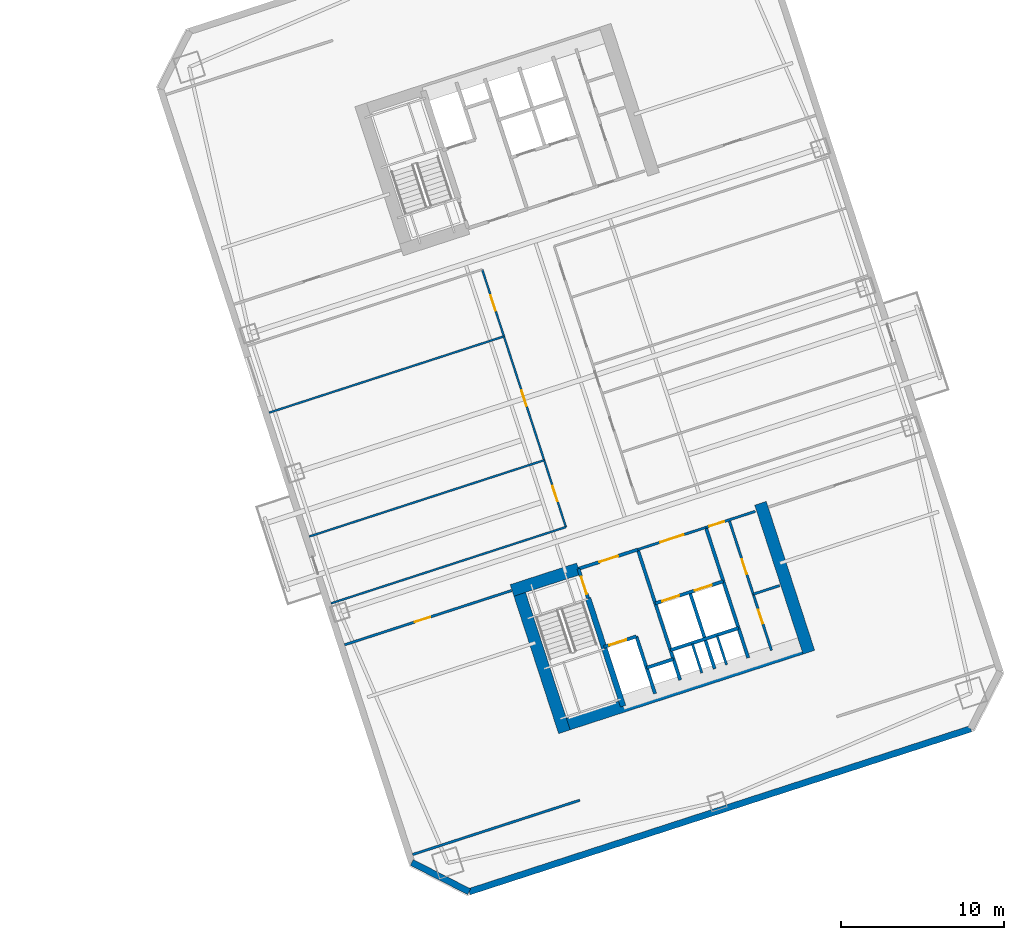
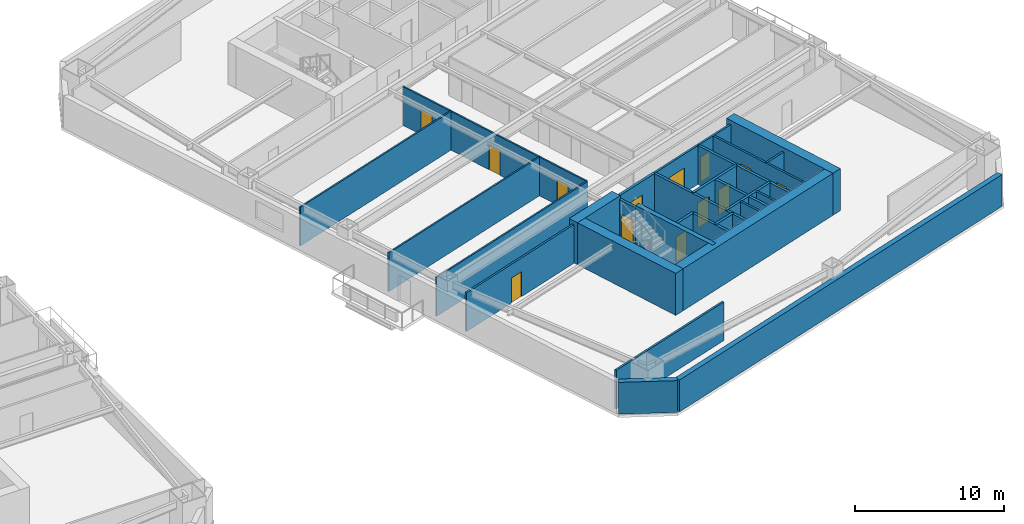
# One storey, part 7 of 15: 29 walls, 13 doors, 13 openings.
"""IFC4 building model written with IfcOpenShell, lengths in metres."""

from ifc_helpers import new_model, si_unit, direction, frame, frame_2d, origin, place, context, subcontext, project, spatial, rectangle, extrude, material, layer, layer_set, type_object, element, fill, save


model = new_model("IFC4")

# Units and contexts
model_context = context("Model", 3, precision=1e-05, world=origin(), true_north=direction((0.0, 1.0)))
body_context = subcontext(model_context, "Body", "Model", "MODEL_VIEW")
ifc_project = project(units=[si_unit("LENGTHUNIT", "METRE"), si_unit("AREAUNIT", "SQUARE_METRE"), si_unit("VOLUMEUNIT", "CUBIC_METRE"), si_unit("PLANEANGLEUNIT", "RADIAN"), si_unit("MASSUNIT", "GRAM", prefix="KILO")], contexts=[model_context])

# Site, building, storey
site_placement = place(None, origin())
site = spatial("IfcSite", under=ifc_project, at=site_placement, CompositionType="ELEMENT")
building_placement = place(site_placement, origin())
building = spatial("IfcBuilding", under=site, at=building_placement, Name="Qiaolan Cultural Towers", CompositionType="ELEMENT")
storey_placement = place(building_placement, frame((0.0, 0.0, 60.949951171875)))
storey = spatial("IfcBuildingStorey", under=building, at=storey_placement, Name="L14", CompositionType="ELEMENT", Elevation=60.949951171875)

# Walls
ifc_material_1 = material(Name="Concrete C50", Category="concrete")
ifc_layer_1 = layer(ifc_material_1, 0.35009765625)
ifc_layer_set_1 = layer_set([ifc_layer_1], Name="Concrete C50")
wall_type_1 = type_object("IfcWallType", Name="WL-CORE-350", PredefinedType="SHEAR", material=ifc_layer_set_1)
wall_1_placement = place(storey_placement, frame((90.486328125, 20.59423828125, 0.0), z_axis=(0.0, 0.0, 1.0), x_axis=(0.309020428229, -0.951055400562, 0.0)))
element("IfcWall", 1, at=wall_1_placement, inside=storey, type_object=wall_type_1, Name="L14 T2-CS Stair Core Dividing Web", PredefinedType="SHEAR", context=body_context, shape_type="SweptSolid", body=[
    extrude(rectangle(XDim=6.97998046875, YDim=0.35009765625, at=frame_2d((3.489990234375, 0.0))), origin(), (0.0, 0.0, 1.0), 3.449951171875),
])
ifc_material_2 = material(Name="Concrete C60", Category="concrete")
ifc_layer_2 = layer(ifc_material_2, 0.75)
ifc_layer_set_2 = layer_set([ifc_layer_2], Name="Concrete C60")
wall_type_2 = type_object("IfcWallType", Name="WL-CORE-750", PredefinedType="SHEAR", material=ifc_layer_set_2)
wall_2_placement = place(storey_placement, frame((88.55859375, 12.628662109375, 0.0), z_axis=(0.0, 0.0, 1.0), x_axis=(0.951056072937, 0.309018358888, 0.0)))
element("IfcWall", 2, at=wall_2_placement, inside=storey, type_object=wall_type_2, Name="L14 T2-CS Outer Core Shear Wall", PredefinedType="SHEAR", context=body_context, shape_type="SweptSolid", body=[
    extrude(rectangle(XDim=16.550048828125, YDim=0.75, at=frame_2d((8.27490234375, 0.0))), origin(), (0.0, 0.0, 1.0), 3.449951171875),
])
wall_3_placement = place(storey_placement, frame((86.05517578125, 21.54638671875, 0.0), z_axis=(0.0, 0.0, 1.0), x_axis=(0.309023585745, -0.951054374604, 0.0)))
element("IfcWall", 3, at=wall_3_placement, inside=storey, type_object=wall_type_2, Name="L14 T2-CS West Core Shear Wall", PredefinedType="SHEAR", context=body_context, shape_type="SweptSolid", body=[
    extrude(rectangle(XDim=9.6298828125, YDim=0.75, at=frame_2d((4.81494140625, 0.0))), origin(), (0.0, 0.0, 1.0), 3.449951171875),
])
wall_4_placement = place(storey_placement, frame((101.08203125, 26.428955078125, 0.0), z_axis=(0.0, 0.0, 1.0), x_axis=(0.309016134813, -0.951056795583, 0.0)))
element("IfcWall", 4, at=wall_4_placement, inside=storey, type_object=wall_type_2, Name="L14 T2-CS East Core Shear Wall", PredefinedType="SHEAR", context=body_context, shape_type="SweptSolid", body=[
    extrude(rectangle(XDim=9.630126953125, YDim=0.75, at=frame_2d((4.81494140625, 0.0))), origin(), (0.0, 0.0, 1.0), 3.449951171875),
])
wall_5_placement = place(storey_placement, frame((85.814453125, 21.073974609375, 0.0), z_axis=(0.0, 0.0, 1.0), x_axis=(0.95106580992, 0.308988390074, 0.0)))
element("IfcWall", 5, at=wall_5_placement, inside=storey, type_object=wall_type_2, Name="L14 T2-CS Stair Front Shear Wall", PredefinedType="SHEAR", context=body_context, shape_type="SweptSolid", body=[
    extrude(rectangle(XDim=4.295166015625, YDim=0.75, at=frame_2d((2.1474609375, 0.0))), origin(), (0.0, 0.0, 1.0), 3.449951171875),
])
ifc_material_3 = material(Name="Precast Concrete C50 Honed Stone Pier", Category="masonry")
ifc_layer_3 = layer(ifc_material_3, 0.39990234375)
ifc_layer_set_3 = layer_set([ifc_layer_3], Name="Precast Concrete C50 Honed Stone Pier")
wall_type_3 = type_object("IfcWallType", Name="WL-EXT-PIER-400", PredefinedType="SOLIDWALL", material=ifc_layer_set_3)
wall_6_placement = place(storey_placement, frame((113.997802734375, 12.566650390625, 0.0), z_axis=(0.0, 0.0, 1.0), x_axis=(-0.951055939317, -0.309018770125, 0.0)))
element("IfcWall", 6, at=wall_6_placement, inside=storey, type_object=wall_type_3, Name="L14 East Tower Precast Pier Facade Wall F7", PredefinedType="SOLIDWALL", context=body_context, shape_type="SweptSolid", body=[
    extrude(rectangle(XDim=32.39990234375, YDim=0.39990234375, at=frame_2d((16.199951171875, 0.0))), origin(), (0.0, 0.0, 1.0), 2.610107421875),
])
wall_7_placement = place(storey_placement, frame((83.18359375, 2.554443359375, 0.0), z_axis=(0.0, 0.0, 1.0), x_axis=(-0.890998089617, 0.454007053137, 0.0)))
element("IfcWall", 7, at=wall_7_placement, inside=storey, type_object=wall_type_3, Name="L14 East Tower Precast Pier Facade Wall F8", PredefinedType="SOLIDWALL", context=body_context, shape_type="SweptSolid", body=[
    extrude(rectangle(XDim=3.9599609375, YDim=0.39990234375, at=frame_2d((1.97998046875, 0.0))), origin(), (0.0, 0.0, 1.0), 2.610107421875),
])

# Wall, opening, door
ifc_material_4 = material(Name="Concrete C35 Fire Wall", Category="concrete")
ifc_layer_4 = layer(ifc_material_4, 0.199951171875)
ifc_layer_set_4 = layer_set([ifc_layer_4], Name="Concrete C35 Fire Wall")
wall_type_4 = type_object("IfcWallType", Name="WL-FIRE-200", PredefinedType="PARTITIONING", material=ifc_layer_set_4)
wall_8_placement = place(storey_placement, frame((89.8994140625, 22.401123046875, 0.0), z_axis=(0.0, 0.0, 1.0), x_axis=(0.308932062672, -0.951084108086, 0.0)))
wall_8 = element("IfcWall", 8, at=wall_8_placement, inside=storey, type_object=wall_type_4, Name="L14 T2-CS Smokeproof Stair Entry Wall", PredefinedType="PARTITIONING", context=body_context, shape_type="SweptSolid", body=[
    extrude(rectangle(XDim=1.89990234375, YDim=0.199951171875, at=frame_2d((0.949951171875, 0.0))), origin(), (0.0, 0.0, 1.0), 3.175048828125),
])
opening_1_placement = place(wall_8_placement, frame((0.52001953125, 0.0, 0.0)))
opening_1 = element("IfcOpeningElement", 9, at=opening_1_placement, cuts=wall_8, Name="Opening FD-04", PredefinedType="OPENING", context=body_context, shape_type="SweptSolid", body=[
    extrude(rectangle(XDim=1.10009765625, YDim=2.050048828125, at=frame_2d((0.550048828125, 1.02490234375))), frame((0.0, 0.10986328125, 0.0), z_axis=(0.0, -1.0, 0.0), x_axis=(1.0, 0.0, 0.0)), (0.0, 0.0, 1.0), 0.219970703125),
])
ifc_material_5 = material(Name="Galvanized Steel Command Fire Door", Category="steel")
door_type_1 = type_object("IfcDoorType", Name="DR-FD90-1100", OperationType="NOTDEFINED", PredefinedType="DOOR", material=ifc_material_5)
door_1_placement = place(opening_1_placement, origin())
door_1 = element("IfcDoor", 10, at=door_1_placement, inside=storey, type_object=door_type_1, Name="L14 ST-E1 Smokeproof Stair Fire Door", OperationType="SINGLE_SWING_LEFT", OverallHeight=2.050048828125, OverallWidth=1.10009765625, PredefinedType="DOOR", context=body_context, shape_type="SweptSolid", body=[
    extrude(rectangle(XDim=1.10009765625, YDim=2.050048828125, at=frame_2d((0.550048828125, 1.02490234375))), frame((0.0, 0.02490234375, 0.0), z_axis=(0.0, -1.0, 0.0), x_axis=(1.0, 0.0, 0.0)), (0.0, 0.0, 1.0), 0.050048828125),
])
fill(opening_1, door_1)

# Wall
wall_9_placement = place(storey_placement, frame((93.541748046875, 23.584716796875, 0.0), z_axis=(0.0, 0.0, 1.0), x_axis=(0.309042196757, -0.951048327176, 0.0)))
element("IfcWall", 11, at=wall_9_placement, inside=storey, type_object=wall_type_4, Name="L14 T2-CS Firefighting Zone Wall", PredefinedType="PARTITIONING", context=body_context, shape_type="SweptSolid", body=[
    extrude(rectangle(XDim=8.429931640625, YDim=0.199951171875, at=frame_2d((4.21484375, 0.0))), origin(), (0.0, 0.0, 1.0), 3.175048828125),
])

# Wall, opening, door
wall_10_placement = place(storey_placement, frame((89.8994140625, 22.401123046875, 0.0), z_axis=(0.0, 0.0, 1.0), x_axis=(0.951046716504, 0.309047153403, 0.0)))
wall_10 = element("IfcWall", 12, at=wall_10_placement, inside=storey, type_object=wall_type_4, Name="L14 T2-CS Firefighting Lobby Front Wall", PredefinedType="PARTITIONING", context=body_context, shape_type="SweptSolid", body=[
    extrude(rectangle(XDim=3.829833984375, YDim=0.199951171875, at=frame_2d((1.9150390625, 0.0))), origin(), (0.0, 0.0, 1.0), 3.175048828125),
])
opening_2_placement = place(wall_10_placement, frame((1.35009765625, 0.0, 0.0)))
opening_2 = element("IfcOpeningElement", 13, at=opening_2_placement, cuts=wall_10, Name="Opening FD-03", PredefinedType="OPENING", context=body_context, shape_type="SweptSolid", body=[
    extrude(rectangle(XDim=1.199951171875, YDim=2.050048828125, at=frame_2d((0.60009765625, 1.02490234375))), frame((0.0, 0.10986328125, 0.0), z_axis=(0.0, -1.0, 0.0), x_axis=(1.0, 0.0, 0.0)), (0.0, 0.0, 1.0), 0.219970703125),
])
ifc_material_6 = material(Name="Galvanized Steel Smokeproof Lobby Fire Door", Category="steel")
door_type_2 = type_object("IfcDoorType", Name="DR-FD90-1200", OperationType="NOTDEFINED", PredefinedType="DOOR", material=ifc_material_6)
door_2_placement = place(opening_2_placement, origin())
door_2 = element("IfcDoor", 14, at=door_2_placement, inside=storey, type_object=door_type_2, Name="L14 FFL-E1 Firefighting Lobby Fire Door", OperationType="SINGLE_SWING_LEFT", OverallHeight=2.050048828125, OverallWidth=1.199951171875, PredefinedType="DOOR", context=body_context, shape_type="SweptSolid", body=[
    extrude(rectangle(XDim=1.199951171875, YDim=2.050048828125, at=frame_2d((0.60009765625, 1.02490234375))), frame((0.0, 0.02490234375, 0.0), z_axis=(0.0, -1.0, 0.0), x_axis=(1.0, 0.0, 0.0)), (0.0, 0.0, 1.0), 0.050048828125),
])
fill(opening_2, door_2)

wall_11_placement = place(storey_placement, frame((91.459716796875, 17.598388671875, 0.0), z_axis=(0.0, 0.0, 1.0), x_axis=(0.951062257173, 0.308999325213, 0.0)))
wall_11 = element("IfcWall", 15, at=wall_11_placement, inside=storey, type_object=wall_type_4, Name="L14 T2-CS Firefighting Shaft Front Wall", PredefinedType="PARTITIONING", context=body_context, shape_type="SweptSolid", body=[
    extrude(rectangle(XDim=2.10009765625, YDim=0.199951171875, at=frame_2d((1.050048828125, 0.0))), origin(), (0.0, 0.0, 1.0), 3.175048828125),
])
opening_3_placement = place(wall_11_placement, frame((0.35009765625, 0.0, 0.0)))
opening_3 = element("IfcOpeningElement", 16, at=opening_3_placement, cuts=wall_11, Name="Opening LD-01", PredefinedType="OPENING", context=body_context, shape_type="SweptSolid", body=[
    extrude(rectangle(XDim=1.10009765625, YDim=2.050048828125, at=frame_2d((0.550048828125, 1.02490234375))), frame((0.0, 0.10986328125, 0.0), z_axis=(0.0, -1.0, 0.0), x_axis=(1.0, 0.0, 0.0)), (0.0, 0.0, 1.0), 0.219970703125),
])
ifc_material_7 = material(Name="Brushed Stainless Steel S30408 Centre-Parting Lift Landing Door", Category="steel")
door_type_3 = type_object("IfcDoorType", Name="DR-LIFT-1100", OperationType="NOTDEFINED", PredefinedType="DOOR", material=ifc_material_7)
door_3_placement = place(opening_3_placement, origin())
door_3 = element("IfcDoor", 17, at=door_3_placement, inside=storey, type_object=door_type_3, Name="L14 FFL-E1 Firefighting Lift Landing Door", OperationType="DOUBLE_DOOR_SLIDING", OverallHeight=2.050048828125, OverallWidth=1.10009765625, PredefinedType="DOOR", context=body_context, shape_type="SweptSolid", body=[
    extrude(rectangle(XDim=1.10009765625, YDim=2.050048828125, at=frame_2d((0.550048828125, 1.02490234375))), frame((0.0, 0.02490234375, 0.0), z_axis=(0.0, -1.0, 0.0), x_axis=(1.0, 0.0, 0.0)), (0.0, 0.0, 1.0), 0.050048828125),
])
fill(opening_3, door_3)

# Walls
wall_12_placement = place(storey_placement, frame((93.45703125, 18.247314453125, 0.0), z_axis=(0.0, 0.0, 1.0), x_axis=(0.3089935693, -0.951064127245, 0.0)))
element("IfcWall", 18, at=wall_12_placement, inside=storey, type_object=wall_type_4, Name="L14 T2-CS Firefighting Hoistway East Wall", PredefinedType="PARTITIONING", context=body_context, shape_type="SweptSolid", body=[
    extrude(rectangle(XDim=3.7001953125, YDim=0.199951171875, at=frame_2d((1.85009765625, 0.0))), origin(), (0.0, 0.0, 1.0), 3.175048828125),
])
wall_13_placement = place(storey_placement, frame((94.08447265625, 16.316650390625, 0.0), z_axis=(0.0, 0.0, 1.0), x_axis=(0.951041328149, 0.309063734775, 0.0)))
element("IfcWall", 19, at=wall_13_placement, inside=storey, type_object=wall_type_4, Name="L14 T2-CS Pressurization Shaft Front Wall", PredefinedType="PARTITIONING", context=body_context, shape_type="SweptSolid", body=[
    extrude(rectangle(XDim=1.72998046875, YDim=0.199951171875, at=frame_2d((0.864990234375, 0.0))), origin(), (0.0, 0.0, 1.0), 3.175048828125),
])
wall_14_placement = place(storey_placement, frame((97.7265625, 24.9443359375, 0.0), z_axis=(0.0, 0.0, 1.0), x_axis=(0.309016001439, -0.951056838919, 0.0)))
element("IfcWall", 20, at=wall_14_placement, inside=storey, type_object=wall_type_4, Name="L14 T2-CS Lift Core East Wall", PredefinedType="PARTITIONING", context=body_context, shape_type="SweptSolid", body=[
    extrude(rectangle(XDim=8.429931640625, YDim=0.199951171875, at=frame_2d((4.21484375, 0.0))), origin(), (0.0, 0.0, 1.0), 3.175048828125),
])

# Wall, openings, doors
wall_15_placement = place(storey_placement, frame((94.6171875, 20.275146484375, 0.0), z_axis=(0.0, 0.0, 1.0), x_axis=(0.951058531764, 0.30901079133, 0.0)))
wall_15 = element("IfcWall", 21, at=wall_15_placement, inside=storey, type_object=wall_type_4, Name="L14 T2-CS Passenger Lift Shaft Front Wall", PredefinedType="PARTITIONING", context=body_context, shape_type="SweptSolid", body=[
    extrude(rectangle(XDim=4.39990234375, YDim=0.199951171875, at=frame_2d((2.199951171875, 0.0))), origin(), (0.0, 0.0, 1.0), 3.175048828125),
])
opening_4_placement = place(wall_15_placement, frame((0.449951171875, 0.0, 0.0)))
opening_4 = element("IfcOpeningElement", 22, at=opening_4_placement, cuts=wall_15, Name="Opening LD-01", PredefinedType="OPENING", context=body_context, shape_type="SweptSolid", body=[
    extrude(rectangle(XDim=1.10009765625, YDim=2.050048828125, at=frame_2d((0.550048828125, 1.02490234375))), frame((0.0, 0.10986328125, 0.0), z_axis=(0.0, -1.0, 0.0), x_axis=(1.0, 0.0, 0.0)), (0.0, 0.0, 1.0), 0.219970703125),
])
opening_5_placement = place(wall_15_placement, frame((2.550048828125, 0.0, 0.0)))
opening_5 = element("IfcOpeningElement", 23, at=opening_5_placement, cuts=wall_15, Name="Opening LD-01", PredefinedType="OPENING", context=body_context, shape_type="SweptSolid", body=[
    extrude(rectangle(XDim=1.10009765625, YDim=2.050048828125, at=frame_2d((0.550048828125, 1.02490234375))), frame((0.0, 0.10986328125, 0.0), z_axis=(0.0, -1.0, 0.0), x_axis=(1.0, 0.0, 0.0)), (0.0, 0.0, 1.0), 0.219970703125),
])
door_4_placement = place(opening_4_placement, origin())
door_4 = element("IfcDoor", 24, at=door_4_placement, inside=storey, type_object=door_type_3, Name="L14 Passenger Lift 1 Landing Door", OperationType="DOUBLE_DOOR_SLIDING", OverallHeight=2.050048828125, OverallWidth=1.10009765625, PredefinedType="DOOR", context=body_context, shape_type="SweptSolid", body=[
    extrude(rectangle(XDim=1.10009765625, YDim=2.050048828125, at=frame_2d((0.550048828125, 1.02490234375))), frame((0.0, 0.02490234375, 0.0), z_axis=(0.0, -1.0, 0.0), x_axis=(1.0, 0.0, 0.0)), (0.0, 0.0, 1.0), 0.050048828125),
])
fill(opening_4, door_4)
door_5_placement = place(opening_5_placement, origin())
door_5 = element("IfcDoor", 25, at=door_5_placement, inside=storey, type_object=door_type_3, Name="L14 Passenger Lift 2 Landing Door", OperationType="DOUBLE_DOOR_SLIDING", OverallHeight=2.050048828125, OverallWidth=1.10009765625, PredefinedType="DOOR", context=body_context, shape_type="SweptSolid", body=[
    extrude(rectangle(XDim=1.10009765625, YDim=2.050048828125, at=frame_2d((0.550048828125, 1.02490234375))), frame((0.0, 0.02490234375, 0.0), z_axis=(0.0, -1.0, 0.0), x_axis=(1.0, 0.0, 0.0)), (0.0, 0.0, 1.0), 0.050048828125),
])
fill(opening_5, door_5)

# Walls
wall_16_placement = place(storey_placement, frame((96.738037109375, 20.964111328125, 0.0), z_axis=(0.0, 0.0, 1.0), x_axis=(0.309042578481, -0.951048203135, 0.0)))
element("IfcWall", 26, at=wall_16_placement, inside=storey, type_object=wall_type_4, Name="L14 T2-CS Lift Shaft Divider Wall", PredefinedType="PARTITIONING", context=body_context, shape_type="SweptSolid", body=[
    extrude(rectangle(XDim=4.9501953125, YDim=0.199951171875, at=frame_2d((2.47509765625, 0.0))), origin(), (0.0, 0.0, 1.0), 3.175048828125),
])
wall_17_placement = place(storey_placement, frame((95.550537109375, 17.40283203125, 0.0), z_axis=(0.0, 0.0, 1.0), x_axis=(0.951058531764, 0.30901079133, 0.0)))
element("IfcWall", 27, at=wall_17_placement, inside=storey, type_object=wall_type_4, Name="L14 T2-CS Passenger Lift Shaft Back Wall", PredefinedType="PARTITIONING", context=body_context, shape_type="SweptSolid", body=[
    extrude(rectangle(XDim=4.39990234375, YDim=0.199951171875, at=frame_2d((2.199951171875, 0.0))), origin(), (0.0, 0.0, 1.0), 3.175048828125),
])
ifc_material_8 = material(Name="Gypsum Stud Acoustic Partition", Category="gypsum")
ifc_layer_5 = layer(ifc_material_8, 0.1201171875)
ifc_layer_set_5 = layer_set([ifc_layer_5], Name="Gypsum Stud Acoustic Partition")
wall_type_5 = type_object("IfcWallType", Name="WL-PART-120", PredefinedType="PARTITIONING", material=ifc_layer_set_5)
wall_18_placement = place(storey_placement, frame((74.691162109375, 20.277587890625, 0.0), z_axis=(0.0, 0.0, 1.0), x_axis=(0.951054756643, 0.309022409974, 0.0)))
element("IfcWall", 28, at=wall_18_placement, inside=storey, type_object=wall_type_5, Name="L14 T2 South Corridor Left Wall", PredefinedType="PARTITIONING", context=body_context, shape_type="SweptSolid", body=[
    extrude(rectangle(XDim=15.175048828125, YDim=0.1201171875, at=frame_2d((7.58740234375, 0.0))), origin(), (0.0, 0.0, 1.0), 3.175048828125),
])

# Wall, openings, doors
wall_19_placement = place(storey_placement, frame((89.12353515625, 24.967041015625, 0.0), z_axis=(0.0, 0.0, 1.0), x_axis=(-0.30901773025, 0.951056277195, 0.0)))
wall_19 = element("IfcWall", 29, at=wall_19_placement, inside=storey, type_object=wall_type_5, Name="L14 T2 West Spine Wall", PredefinedType="PARTITIONING", context=body_context, shape_type="SweptSolid", body=[
    extrude(rectangle(XDim=16.64013671875, YDim=0.1201171875, at=frame_2d((8.320068359375, 0.0))), origin(), (0.0, 0.0, 1.0), 3.175048828125),
])
opening_6_placement = place(wall_19_placement, frame((1.659912109375, 0.0, 0.0)))
opening_6 = element("IfcOpeningElement", 30, at=opening_6_placement, cuts=wall_19, Name="Opening ID-04", PredefinedType="OPENING", context=body_context, shape_type="SweptSolid", body=[
    extrude(rectangle(XDim=1.0, YDim=2.050048828125, at=frame_2d((0.5, 1.02490234375))), frame((0.0, 0.070068359375, 0.0), z_axis=(0.0, -1.0, 0.0), x_axis=(1.0, 0.0, 0.0)), (0.0, 0.0, 1.0), 0.14013671875),
])
opening_7_placement = place(wall_19_placement, frame((7.820068359375, 0.0, 0.0)))
opening_7 = element("IfcOpeningElement", 31, at=opening_7_placement, cuts=wall_19, Name="Opening ID-04", PredefinedType="OPENING", context=body_context, shape_type="SweptSolid", body=[
    extrude(rectangle(XDim=1.0, YDim=2.050048828125, at=frame_2d((0.5, 1.02490234375))), frame((0.0, 0.070068359375, 0.0), z_axis=(0.0, -1.0, 0.0), x_axis=(1.0, 0.0, 0.0)), (0.0, 0.0, 1.0), 0.14013671875),
])
opening_8_placement = place(wall_19_placement, frame((13.97998046875, 0.0, 0.0)))
opening_8 = element("IfcOpeningElement", 32, at=opening_8_placement, cuts=wall_19, Name="Opening ID-04", PredefinedType="OPENING", context=body_context, shape_type="SweptSolid", body=[
    extrude(rectangle(XDim=1.0, YDim=2.050048828125, at=frame_2d((0.5, 1.02490234375))), frame((0.0, 0.070068359375, 0.0), z_axis=(0.0, -1.0, 0.0), x_axis=(1.0, 0.0, 0.0)), (0.0, 0.0, 1.0), 0.14013671875),
])
ifc_material_9 = material(Name="Oak Veneer Acoustic Office Door", Category="timber")
door_type_4 = type_object("IfcDoorType", Name="DR-INT-1000", OperationType="NOTDEFINED", PredefinedType="DOOR", material=ifc_material_9)
door_6_placement = place(opening_6_placement, origin())
door_6 = element("IfcDoor", 33, at=door_6_placement, inside=storey, type_object=door_type_4, Name="L14 T2 Contemporary Art Salon Door", OperationType="SINGLE_SWING_LEFT", OverallHeight=2.050048828125, OverallWidth=1.0, PredefinedType="DOOR", context=body_context, shape_type="SweptSolid", body=[
    extrude(rectangle(XDim=1.0, YDim=2.050048828125, at=frame_2d((0.5, 1.02490234375))), frame((0.0, 0.02490234375, 0.0), z_axis=(0.0, -1.0, 0.0), x_axis=(1.0, 0.0, 0.0)), (0.0, 0.0, 1.0), 0.050048828125),
])
fill(opening_6, door_6)
door_7_placement = place(opening_7_placement, origin())
door_7 = element("IfcDoor", 34, at=door_7_placement, inside=storey, type_object=door_type_4, Name="L14 T2 Contemporary Art Salon Door", OperationType="SINGLE_SWING_RIGHT", OverallHeight=2.050048828125, OverallWidth=1.0, PredefinedType="DOOR", context=body_context, shape_type="SweptSolid", body=[
    extrude(rectangle(XDim=1.0, YDim=2.050048828125, at=frame_2d((0.5, 1.02490234375))), frame((0.0, 0.02490234375, 0.0), z_axis=(0.0, -1.0, 0.0), x_axis=(1.0, 0.0, 0.0)), (0.0, 0.0, 1.0), 0.050048828125),
])
fill(opening_7, door_7)
door_8_placement = place(opening_8_placement, origin())
door_8 = element("IfcDoor", 35, at=door_8_placement, inside=storey, type_object=door_type_4, Name="L14 T2 Members Reading Club Door", OperationType="SINGLE_SWING_LEFT", OverallHeight=2.050048828125, OverallWidth=1.0, PredefinedType="DOOR", context=body_context, shape_type="SweptSolid", body=[
    extrude(rectangle(XDim=1.0, YDim=2.050048828125, at=frame_2d((0.5, 1.02490234375))), frame((0.0, 0.02490234375, 0.0), z_axis=(0.0, -1.0, 0.0), x_axis=(1.0, 0.0, 0.0)), (0.0, 0.0, 1.0), 0.050048828125),
])
fill(opening_8, door_8)

# Walls
for number, where, z_axis, x_axis, name in (
    (36, (73.356201171875, 24.38623046875, 0.0), (0.0, 0.0, 1.0), (0.951054756643, 0.309022409974, 0.0), "L14 T2 West Partition 1"),
    (37, (70.884033203125, 31.99462890625, 0.0), (0.0, 0.0, 1.0), (0.951054756643, 0.309022409974, 0.0), "L14 T2 West Partition 2"),
):
    element("IfcWall", number, at=place(storey_placement, frame(where, z_axis=z_axis, x_axis=x_axis)), inside=storey, type_object=wall_type_5, Name=name, PredefinedType="PARTITIONING", context=body_context, shape_type="SweptSolid", body=[
        extrude(rectangle(XDim=15.175048828125, YDim=0.1201171875, at=frame_2d((7.58740234375, 0.0))), origin(), (0.0, 0.0, 1.0), 3.175048828125),
    ])

# Wall, opening, door
ifc_material_10 = material(Name="Autoclaved Aerated Concrete Block B06", Category="concrete")
ifc_layer_6 = layer(ifc_material_10, 0.14990234375)
ifc_layer_set_6 = layer_set([ifc_layer_6], Name="Autoclaved Aerated Concrete Block B06")
wall_type_6 = type_object("IfcWallType", Name="WL-PART-150", PredefinedType="PARTITIONING", material=ifc_layer_set_6)
wall_20_placement = place(storey_placement, frame((93.541748046875, 23.584716796875, 0.0), z_axis=(0.0, 0.0, 1.0), x_axis=(0.951063829732, 0.308994485023, 0.0)))
wall_20 = element("IfcWall", 38, at=wall_20_placement, inside=storey, type_object=wall_type_6, Name="L14 T2-CS Passenger Lift Lobby Front Wall", PredefinedType="PARTITIONING", context=body_context, shape_type="SweptSolid", body=[
    extrude(rectangle(XDim=4.400146484375, YDim=0.14990234375, at=frame_2d((2.2001953125, 0.0))), origin(), (0.0, 0.0, 1.0), 3.175048828125),
])
opening_9_placement = place(wall_20_placement, frame((1.449951171875, 0.0, 0.0)))
opening_9 = element("IfcOpeningElement", 39, at=opening_9_placement, cuts=wall_20, Name="Opening FD-05", PredefinedType="OPENING", context=body_context, shape_type="SweptSolid", body=[
    extrude(rectangle(XDim=1.5, YDim=2.050048828125, at=frame_2d((0.75, 1.02490234375))), frame((0.0, 0.0849609375, 0.0), z_axis=(0.0, -1.0, 0.0), x_axis=(1.0, 0.0, 0.0)), (0.0, 0.0, 1.0), 0.169921875),
])
ifc_material_11 = material(Name="Painted Steel Lift Lobby Fire Door", Category="steel")
door_type_5 = type_object("IfcDoorType", Name="DR-FD60-1500", OperationType="NOTDEFINED", PredefinedType="DOOR", material=ifc_material_11)
door_9_placement = place(opening_9_placement, origin())
door_9 = element("IfcDoor", 40, at=door_9_placement, inside=storey, type_object=door_type_5, Name="L14 Passenger Lift Lobby Entrance", OperationType="SINGLE_SWING_LEFT", OverallHeight=2.050048828125, OverallWidth=1.5, PredefinedType="DOOR", context=body_context, shape_type="SweptSolid", body=[
    extrude(rectangle(XDim=1.5, YDim=2.050048828125, at=frame_2d((0.75, 1.02490234375))), frame((0.0, 0.02490234375, 0.0), z_axis=(0.0, -1.0, 0.0), x_axis=(1.0, 0.0, 0.0)), (0.0, 0.0, 1.0), 0.050048828125),
])
fill(opening_9, door_9)

# Walls
wall_21_placement = place(storey_placement, frame((96.8974609375, 17.787841796875, 0.0), z_axis=(0.0, 0.0, 1.0), x_axis=(0.30897153969, -0.951071284217, 0.0)))
element("IfcWall", 41, at=wall_21_placement, inside=storey, type_object=wall_type_6, Name="L14 T2-CS Core Rear Split 1", PredefinedType="PARTITIONING", context=body_context, shape_type="SweptSolid", body=[
    extrude(rectangle(XDim=1.8798828125, YDim=0.14990234375, at=frame_2d((0.93994140625, 0.0))), origin(), (0.0, 0.0, 1.0), 3.175048828125),
])
wall_22_placement = place(storey_placement, frame((98.419189453125, 18.282470703125, 0.0), z_axis=(0.0, 0.0, 1.0), x_axis=(0.308933380006, -0.951083680187, 0.0)))
element("IfcWall", 42, at=wall_22_placement, inside=storey, type_object=wall_type_6, Name="L14 T2-CS Core Rear Split 2", PredefinedType="PARTITIONING", context=body_context, shape_type="SweptSolid", body=[
    extrude(rectangle(XDim=1.880126953125, YDim=0.14990234375, at=frame_2d((0.93994140625, 0.0))), origin(), (0.0, 0.0, 1.0), 3.175048828125),
])

# Wall, opening, door
wall_23_placement = place(storey_placement, frame((97.7265625, 24.9443359375, 0.0), z_axis=(0.0, 0.0, 1.0), x_axis=(0.951036872128, 0.309077446369, 0.0)))
wall_23 = element("IfcWall", 43, at=wall_23_placement, inside=storey, type_object=wall_type_6, Name="L14 T2-CS Sanitary Core Front Wall", PredefinedType="PARTITIONING", context=body_context, shape_type="SweptSolid", body=[
    extrude(rectangle(XDim=3.199951171875, YDim=0.14990234375, at=frame_2d((1.60009765625, 0.0))), origin(), (0.0, 0.0, 1.0), 3.175048828125),
])
opening_10_placement = place(wall_23_placement, frame((0.219970703125, 0.0, 0.0)))
opening_10 = element("IfcOpeningElement", 44, at=opening_10_placement, cuts=wall_23, Name="Opening ID-05", PredefinedType="OPENING", context=body_context, shape_type="SweptSolid", body=[
    extrude(rectangle(XDim=0.949951171875, YDim=2.050048828125, at=frame_2d((0.47509765625, 1.02490234375))), frame((0.0, 0.0849609375, 0.0), z_axis=(0.0, -1.0, 0.0), x_axis=(1.0, 0.0, 0.0)), (0.0, 0.0, 1.0), 0.169921875),
])
ifc_material_12 = material(Name="Fire-Rated Laminate Accessible Core Door", Category="timber")
door_type_6 = type_object("IfcDoorType", Name="DR-INT-950", OperationType="NOTDEFINED", PredefinedType="DOOR", material=ifc_material_12)
door_10_placement = place(opening_10_placement, origin())
door_10 = element("IfcDoor", 45, at=door_10_placement, inside=storey, type_object=door_type_6, Name="L14 Sanitary Lobby Door", OperationType="SINGLE_SWING_LEFT", OverallHeight=2.050048828125, OverallWidth=0.949951171875, PredefinedType="DOOR", context=body_context, shape_type="SweptSolid", body=[
    extrude(rectangle(XDim=0.949951171875, YDim=2.050048828125, at=frame_2d((0.47509765625, 1.02490234375))), frame((0.0, 0.02490234375, 0.0), z_axis=(0.0, -1.0, 0.0), x_axis=(1.0, 0.0, 0.0)), (0.0, 0.0, 1.0), 0.050048828125),
])
fill(opening_10, door_10)

# Wall, openings, doors
wall_24_placement = place(storey_placement, frame((99.153076171875, 25.407958984375, 0.0), z_axis=(0.0, 0.0, 1.0), x_axis=(0.309016001439, -0.951056838919, 0.0)))
wall_24 = element("IfcWall", 46, at=wall_24_placement, inside=storey, type_object=wall_type_6, Name="L14 T2-CS Washroom Split Wall", PredefinedType="PARTITIONING", context=body_context, shape_type="SweptSolid", body=[
    extrude(rectangle(XDim=8.429931640625, YDim=0.14990234375, at=frame_2d((4.21484375, 0.0))), origin(), (0.0, 0.0, 1.0), 3.175048828125),
])
opening_11_placement = place(wall_24_placement, frame((2.550048828125, 0.0, 0.0)))
opening_11 = element("IfcOpeningElement", 47, at=opening_11_placement, cuts=wall_24, Name="Opening ID-05", PredefinedType="OPENING", context=body_context, shape_type="SweptSolid", body=[
    extrude(rectangle(XDim=0.949951171875, YDim=2.050048828125, at=frame_2d((0.47509765625, 1.02490234375))), frame((0.0, 0.0849609375, 0.0), z_axis=(0.0, -1.0, 0.0), x_axis=(1.0, 0.0, 0.0)), (0.0, 0.0, 1.0), 0.169921875),
])
opening_12_placement = place(wall_24_placement, frame((5.800048828125, 0.0, 0.0)))
opening_12 = element("IfcOpeningElement", 48, at=opening_12_placement, cuts=wall_24, Name="Opening ID-06", PredefinedType="OPENING", context=body_context, shape_type="SweptSolid", body=[
    extrude(rectangle(XDim=0.89990234375, YDim=2.050048828125, at=frame_2d((0.449951171875, 1.02490234375))), frame((0.0, 0.0849609375, 0.0), z_axis=(0.0, -1.0, 0.0), x_axis=(1.0, 0.0, 0.0)), (0.0, 0.0, 1.0), 0.169921875),
])
ifc_material_13 = material(Name="Fire-Rated Laminate Core Service Door", Category="timber")
door_type_7 = type_object("IfcDoorType", Name="DR-INT-900", OperationType="NOTDEFINED", PredefinedType="DOOR", material=ifc_material_13)
door_11_placement = place(opening_12_placement, origin())
door_11 = element("IfcDoor", 49, at=door_11_placement, inside=storey, type_object=door_type_7, Name="L14 First-Aid Room Door", OperationType="SINGLE_SWING_RIGHT", OverallHeight=2.050048828125, OverallWidth=0.89990234375, PredefinedType="DOOR", context=body_context, shape_type="SweptSolid", body=[
    extrude(rectangle(XDim=0.89990234375, YDim=2.050048828125, at=frame_2d((0.449951171875, 1.02490234375))), frame((0.0, 0.02490234375, 0.0), z_axis=(0.0, -1.0, 0.0), x_axis=(1.0, 0.0, 0.0)), (0.0, 0.0, 1.0), 0.050048828125),
])
fill(opening_12, door_11)
door_12_placement = place(opening_11_placement, origin())
door_12 = element("IfcDoor", 50, at=door_12_placement, inside=storey, type_object=door_type_6, Name="L14 Accessible Washroom Door", OperationType="SINGLE_SWING_LEFT", OverallHeight=2.050048828125, OverallWidth=0.949951171875, PredefinedType="DOOR", context=body_context, shape_type="SweptSolid", body=[
    extrude(rectangle(XDim=0.949951171875, YDim=2.050048828125, at=frame_2d((0.47509765625, 1.02490234375))), frame((0.0, 0.02490234375, 0.0), z_axis=(0.0, -1.0, 0.0), x_axis=(1.0, 0.0, 0.0)), (0.0, 0.0, 1.0), 0.050048828125),
])
fill(opening_11, door_12)

# Walls
wall_25_placement = place(storey_placement, frame((100.636474609375, 20.8427734375, 0.0), z_axis=(0.0, 0.0, 1.0), x_axis=(0.951040401051, 0.309066587596, 0.0)))
element("IfcWall", 51, at=wall_25_placement, inside=storey, type_object=wall_type_6, Name="L14 T2-CS First-Aid Wall", PredefinedType="PARTITIONING", context=body_context, shape_type="SweptSolid", body=[
    extrude(rectangle(XDim=1.699951171875, YDim=0.14990234375, at=frame_2d((0.85009765625, 0.0))), origin(), (0.0, 0.0, 1.0), 3.175048828125),
])
wall_26_placement = place(storey_placement, frame((79.70654296875, 4.842041015625, 0.0), z_axis=(0.0, 0.0, 1.0), x_axis=(0.951056658866, 0.309016555588, 0.0)))
element("IfcWall", 52, at=wall_26_placement, inside=storey, type_object=wall_type_6, Name="L14 T2 Flank Wall FLK-SW", PredefinedType="PARTITIONING", context=body_context, shape_type="SweptSolid", body=[
    extrude(rectangle(XDim=10.800048828125, YDim=0.14990234375, at=frame_2d((5.39990234375, 0.0))), origin(), (0.0, 0.0, 1.0), 3.175048828125),
])

# Wall, opening, door
wall_27_placement = place(storey_placement, frame((75.519287109375, 17.728759765625, 0.0), z_axis=(0.0, 0.0, 1.0), x_axis=(0.951056658866, 0.309016555588, 0.0)))
wall_27 = element("IfcWall", 53, at=wall_27_placement, inside=storey, type_object=wall_type_6, Name="L14 T2 Flank Front FLK-SW", PredefinedType="PARTITIONING", context=body_context, shape_type="SweptSolid", body=[
    extrude(rectangle(XDim=10.800048828125, YDim=0.14990234375, at=frame_2d((5.39990234375, 0.0))), origin(), (0.0, 0.0, 1.0), 3.175048828125),
])
opening_13_placement = place(wall_27_placement, frame((4.535888671875, 0.0, 0.0)))
opening_13 = element("IfcOpeningElement", 54, at=opening_13_placement, cuts=wall_27, Name="Opening ID-04", PredefinedType="OPENING", context=body_context, shape_type="SweptSolid", body=[
    extrude(rectangle(XDim=1.0, YDim=2.050048828125, at=frame_2d((0.5, 1.02490234375))), frame((0.0, 0.0849609375, 0.0), z_axis=(0.0, -1.0, 0.0), x_axis=(1.0, 0.0, 0.0)), (0.0, 0.0, 1.0), 0.169921875),
])
door_13_placement = place(opening_13_placement, origin())
door_13 = element("IfcDoor", 55, at=door_13_placement, inside=storey, type_object=door_type_4, Name="L14 T2 Corner Studio Door", OperationType="SINGLE_SWING_LEFT", OverallHeight=2.050048828125, OverallWidth=1.0, PredefinedType="DOOR", context=body_context, shape_type="SweptSolid", body=[
    extrude(rectangle(XDim=1.0, YDim=2.050048828125, at=frame_2d((0.5, 1.02490234375))), frame((0.0, 0.02490234375, 0.0), z_axis=(0.0, -1.0, 0.0), x_axis=(1.0, 0.0, 0.0)), (0.0, 0.0, 1.0), 0.050048828125),
])
fill(opening_13, door_13)

save(model, "model.ifc")
